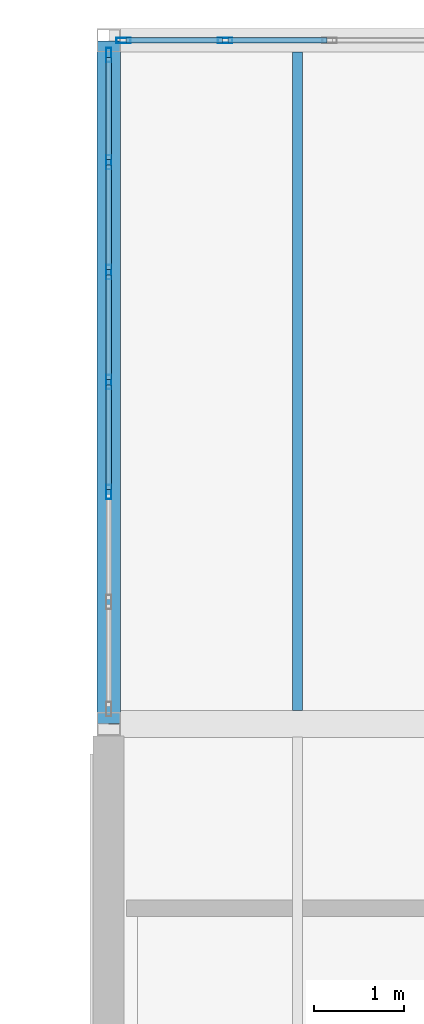
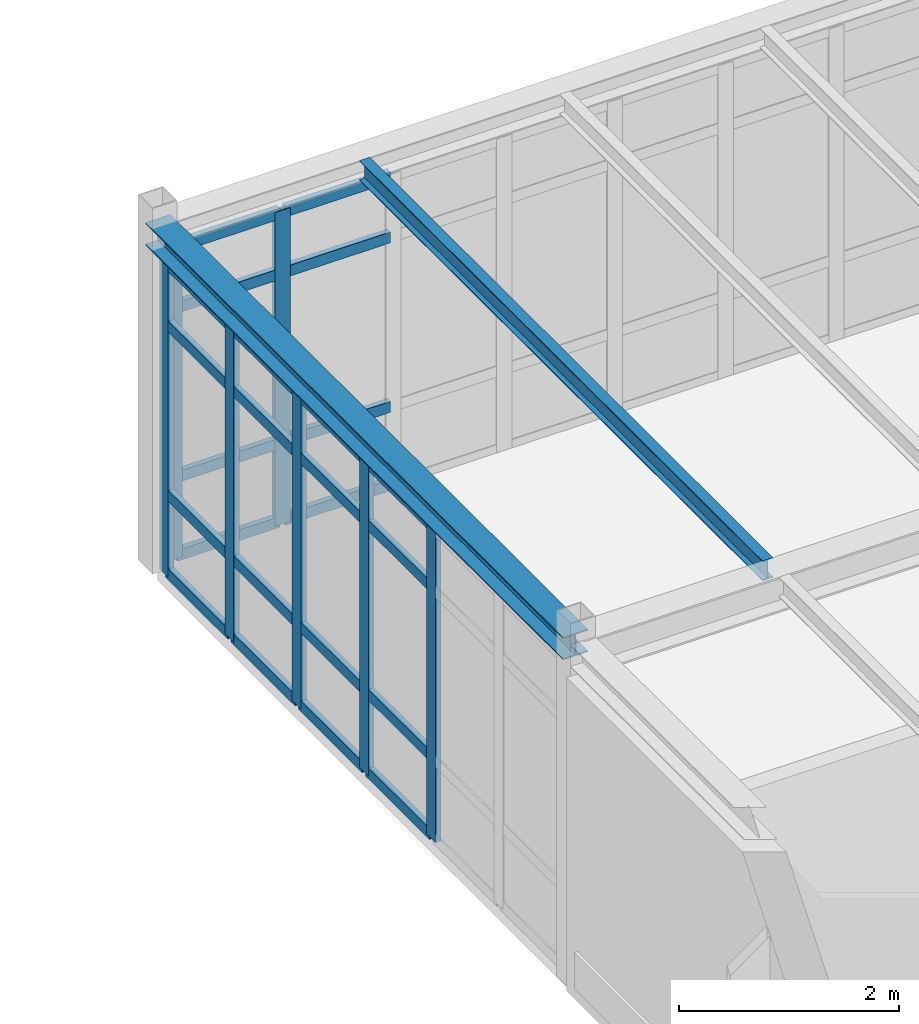
# One storey, part 84 of 189: 31 members, 2 beams, 2 elements without a shape of their own.
"""IFC4 building model written with IfcOpenShell, lengths in metres."""

from ifc_helpers import new_model, si_unit, direction, frame, origin, origin_2d, place, context, subcontext, project, spatial, hollow_rectangle, i_section, extrude, material, layer, layer_set, material_profile, profile_set, type_object, element, aggregate, save


model = new_model("IFC4")

# Units and contexts
model_context = context("Model", 3, precision=1e-05, world=origin(), true_north=direction((0.0, 1.0)))
body_context = subcontext(model_context, "Body", "Model", "MODEL_VIEW")
ifc_project = project(units=[si_unit("LENGTHUNIT", "METRE"), si_unit("AREAUNIT", "SQUARE_METRE"), si_unit("VOLUMEUNIT", "CUBIC_METRE"), si_unit("PLANEANGLEUNIT", "RADIAN"), si_unit("MASSUNIT", "GRAM", prefix="KILO")], contexts=[model_context])

# Site, building, storey
site_placement = place(None, origin())
site = spatial("IfcSite", under=ifc_project, at=site_placement, CompositionType="ELEMENT")
building_placement = place(site_placement, origin())
building = spatial("IfcBuilding", under=site, at=building_placement, Name="Montecoro Central Library", CompositionType="ELEMENT")
storey_placement = place(building_placement, frame((0.0, 0.0, 9.179931640625)))
storey = spatial("IfcBuildingStorey", under=building, at=storey_placement, Name="L02", CompositionType="ELEMENT", Elevation=9.179931640625)

# Beams
ifc_material_1 = material(Name="Steel S355", Category="steel")
ifc_material_profile_1 = material_profile(ifc_material_1, i_section(OverallWidth=0.110107421875, OverallDepth=0.219970703125, WebThickness=0.005859375, FlangeThickness=0.00927734375, at=origin_2d()), Name="IPE 220")
ifc_profile_set_1 = profile_set([ifc_material_profile_1], Name="Steel S355")
beam_type_1 = type_object("IfcBeamType", Name="BM-J-IPE220", PredefinedType="JOIST", material=ifc_profile_set_1)
beam_1_placement = place(storey_placement, frame((68.5, 111.547119140625, 3.715087890625), z_axis=(0.0, 1.0, 0.0), x_axis=(-1.0, 0.0, 0.0)))
element("IfcBeam", 1, at=beam_1_placement, inside=storey, type_object=beam_type_1, Name="V2-L02-JS-910-QR-1", PredefinedType="JOIST", context=body_context, shape_type="SweptSolid", body=[
    extrude(i_section(OverallWidth=0.110107421875, OverallDepth=0.219970703125, WebThickness=0.005859375, FlangeThickness=0.00927734375, at=origin_2d()), origin(), (0.0, 0.0, 1.0), 7.325927734375),
])
ifc_material_profile_2 = material_profile(ifc_material_1, i_section(OverallWidth=0.260009765625, OverallDepth=0.25, WebThickness=0.007568359375, FlangeThickness=0.012451171875, at=origin_2d()), Name="HEA 260")
ifc_profile_set_2 = profile_set([ifc_material_profile_2], Name="Steel S355")
beam_type_2 = type_object("IfcBeamType", Name="BM-SP-HEA260", PredefinedType="SPANDREL", material=ifc_profile_set_2)
beam_2_placement = place(storey_placement, frame((66.39990234375, 111.405029296875, 3.699951171875), z_axis=(0.0, 1.0, 0.0), x_axis=(-1.0, 0.0, 0.0)))
element("IfcBeam", 2, at=beam_2_placement, inside=storey, type_object=beam_type_2, Name="V2-L02-BY-9-QR", PredefinedType="SPANDREL", context=body_context, shape_type="SweptSolid", body=[
    extrude(i_section(OverallWidth=0.260009765625, OverallDepth=0.25, WebThickness=0.007568359375, FlangeThickness=0.012451171875, at=origin_2d()), origin(), (0.0, 0.0, 1.0), 7.590087890625),
])

# Curtain wall, members
ifc_material_2 = material(Name="Bronze-anodised aluminium and low-E glazing", Category="aluminium")
ifc_layer_1 = layer(ifc_material_2, 0.159912109375)
ifc_layer_set_1 = layer_set([ifc_layer_1], Name="Bronze-anodised aluminium and low-E glazing")
curtain_wall_type_1 = type_object("IfcCurtainWallType", Name="CWT-016", PredefinedType="NOTDEFINED", material=ifc_layer_set_1)
curtain_wall_1_placement = place(storey_placement, origin())
curtain_wall_1 = element("IfcCurtainWall", 3, at=curtain_wall_1_placement, inside=storey, type_object=curtain_wall_type_1, Name="V2-L02-CW-N0", PredefinedType="NOTDEFINED")
ifc_material_3 = material(Name="Bronze-anodised aluminium", Category="aluminium")
ifc_material_profile_3 = material_profile(ifc_material_3, hollow_rectangle(XDim=0.06005859375, YDim=0.159912109375, WallThickness=0.00390625, at=origin_2d()), Name="CWM 160x60x4.0")
ifc_profile_set_3 = profile_set([ifc_material_profile_3], Name="Bronze-anodised aluminium")
member_type_1 = type_object("IfcMemberType", Name="CWM-BRZ-60", PredefinedType="MULLION", material=ifc_profile_set_3)
member_1_placement = place(storey_placement, frame((67.695068359375, 119.0, 0.0), z_axis=(0.0, 0.0, 1.0), x_axis=(0.0, -1.0, 0.0)))
member_1 = element("IfcMember", 4, at=member_1_placement, type_object=member_type_1, Name="CW-016 mullion 7", PredefinedType="MULLION", context=body_context, shape_type="SweptSolid", body=[
    extrude(hollow_rectangle(XDim=0.06005859375, YDim=0.159912109375, WallThickness=0.00390625, at=origin_2d()), origin(), (0.0, 0.0, 1.0), 3.47998046875),
])
member_2_placement = place(storey_placement, frame((66.56298828125, 119.0, 0.0), z_axis=(0.0, 0.0, 1.0), x_axis=(0.0, -1.0, 0.0)))
member_2 = element("IfcMember", 5, at=member_2_placement, type_object=member_type_1, Name="CW-016 mullion 8", PredefinedType="MULLION", context=body_context, shape_type="SweptSolid", body=[
    extrude(hollow_rectangle(XDim=0.06005859375, YDim=0.159912109375, WallThickness=0.00390625, at=origin_2d()), origin(), (0.0, 0.0, 1.0), 3.47998046875),
])

ifc_layer_2 = layer(ifc_material_2, 0.159912109375)
ifc_layer_set_2 = layer_set([ifc_layer_2], Name="Bronze-anodised aluminium and low-E glazing")
curtain_wall_type_2 = type_object("IfcCurtainWallType", Name="CWT-017", PredefinedType="NOTDEFINED", material=ifc_layer_set_2)
curtain_wall_2_placement = place(storey_placement, origin())
curtain_wall_2 = element("IfcCurtainWall", 6, at=curtain_wall_2_placement, inside=storey, type_object=curtain_wall_type_2, Name="V2-L02-CW-W4", PredefinedType="NOTDEFINED")
member_3_placement = place(storey_placement, frame((66.39990234375, 118.8369140625, 0.0), z_axis=(0.0, 0.0, 1.0), x_axis=(1.0, 0.0, 0.0)))
member_3 = element("IfcMember", 7, at=member_3_placement, type_object=member_type_1, Name="CW-017 mullion 1", PredefinedType="MULLION", context=body_context, shape_type="SweptSolid", body=[
    extrude(hollow_rectangle(XDim=0.06005859375, YDim=0.159912109375, WallThickness=0.00390625, at=origin_2d()), origin(), (0.0, 0.0, 1.0), 3.47998046875),
])
member_4_placement = place(storey_placement, frame((66.39990234375, 117.644775390625, 0.0), z_axis=(0.0, 0.0, 1.0), x_axis=(1.0, 0.0, 0.0)))
member_4 = element("IfcMember", 8, at=member_4_placement, type_object=member_type_1, Name="CW-017 mullion 2", PredefinedType="MULLION", context=body_context, shape_type="SweptSolid", body=[
    extrude(hollow_rectangle(XDim=0.06005859375, YDim=0.159912109375, WallThickness=0.00390625, at=origin_2d()), origin(), (0.0, 0.0, 1.0), 3.47998046875),
])
member_5_placement = place(storey_placement, frame((66.39990234375, 116.42236328125, 0.0), z_axis=(0.0, 0.0, 1.0), x_axis=(1.0, 0.0, 0.0)))
member_5 = element("IfcMember", 9, at=member_5_placement, type_object=member_type_1, Name="CW-017 mullion 3", PredefinedType="MULLION", context=body_context, shape_type="SweptSolid", body=[
    extrude(hollow_rectangle(XDim=0.06005859375, YDim=0.159912109375, WallThickness=0.00390625, at=origin_2d()), origin(), (0.0, 0.0, 1.0), 3.47998046875),
])
member_6_placement = place(storey_placement, frame((66.39990234375, 115.199951171875, 0.0), z_axis=(0.0, 0.0, 1.0), x_axis=(1.0, 0.0, 0.0)))
member_6 = element("IfcMember", 10, at=member_6_placement, type_object=member_type_1, Name="CW-017 mullion 4", PredefinedType="MULLION", context=body_context, shape_type="SweptSolid", body=[
    extrude(hollow_rectangle(XDim=0.06005859375, YDim=0.159912109375, WallThickness=0.00390625, at=origin_2d()), origin(), (0.0, 0.0, 1.0), 3.47998046875),
])
member_7_placement = place(storey_placement, frame((66.39990234375, 113.977783203125, 0.0), z_axis=(0.0, 0.0, 1.0), x_axis=(1.0, 0.0, 0.0)))
member_7 = element("IfcMember", 11, at=member_7_placement, type_object=member_type_1, Name="CW-017 mullion 5", PredefinedType="MULLION", context=body_context, shape_type="SweptSolid", body=[
    extrude(hollow_rectangle(XDim=0.06005859375, YDim=0.159912109375, WallThickness=0.00390625, at=origin_2d()), origin(), (0.0, 0.0, 1.0), 3.47998046875),
])

# Member
ifc_material_profile_4 = material_profile(ifc_material_3, hollow_rectangle(XDim=0.06005859375, YDim=0.1201171875, WallThickness=0.00390625, at=origin_2d()), Name="CWT 120x60x4.0")
ifc_profile_set_4 = profile_set([ifc_material_profile_4], Name="Bronze-anodised aluminium")
member_type_2 = type_object("IfcMemberType", Name="CWT-BRZ-60", PredefinedType="USERDEFINED", material=ifc_profile_set_4)
member_8_placement = place(storey_placement, frame((68.826904296875, 119.0, 0.030029296875), z_axis=(-1.0, 0.0, 0.0), x_axis=(0.0, -1.0, 0.0)))
member_8 = element("IfcMember", 12, at=member_8_placement, type_object=member_type_2, Name="CW-016 transom 6.1", ObjectType="TRANSOM", PredefinedType="USERDEFINED", context=body_context, shape_type="SweptSolid", body=[
    extrude(hollow_rectangle(XDim=0.06005859375, YDim=0.1201171875, WallThickness=0.00390625, at=origin_2d()), origin(), (0.0, 0.0, 1.0), 1.101806640625),
])

member_9_placement = place(storey_placement, frame((68.826904296875, 119.0, 0.900146484375), z_axis=(-1.0, 0.0, 0.0), x_axis=(0.0, -1.0, 0.0)))
member_9 = element("IfcMember", 13, at=member_9_placement, type_object=member_type_2, Name="CW-016 transom 6.2", ObjectType="TRANSOM", PredefinedType="USERDEFINED", context=body_context, shape_type="SweptSolid", body=[
    extrude(hollow_rectangle(XDim=0.06005859375, YDim=0.1201171875, WallThickness=0.00390625, at=origin_2d()), origin(), (0.0, 0.0, 1.0), 1.101806640625),
])

member_10_placement = place(storey_placement, frame((68.826904296875, 119.0, 2.780029296875), z_axis=(-1.0, 0.0, 0.0), x_axis=(0.0, -1.0, 0.0)))
member_10 = element("IfcMember", 14, at=member_10_placement, type_object=member_type_2, Name="CW-016 transom 6.3", ObjectType="TRANSOM", PredefinedType="USERDEFINED", context=body_context, shape_type="SweptSolid", body=[
    extrude(hollow_rectangle(XDim=0.06005859375, YDim=0.1201171875, WallThickness=0.00390625, at=origin_2d()), origin(), (0.0, 0.0, 1.0), 1.101806640625),
])

member_11_placement = place(storey_placement, frame((68.826904296875, 119.0, 3.449951171875), z_axis=(-1.0, 0.0, 0.0), x_axis=(0.0, -1.0, 0.0)))
member_11 = element("IfcMember", 15, at=member_11_placement, type_object=member_type_2, Name="CW-016 transom 6.4", ObjectType="TRANSOM", PredefinedType="USERDEFINED", context=body_context, shape_type="SweptSolid", body=[
    extrude(hollow_rectangle(XDim=0.06005859375, YDim=0.1201171875, WallThickness=0.00390625, at=origin_2d()), origin(), (0.0, 0.0, 1.0), 1.101806640625),
])

member_12_placement = place(storey_placement, frame((67.6650390625, 119.0, 0.030029296875), z_axis=(-1.0, 0.0, 0.0), x_axis=(0.0, -1.0, 0.0)))
member_12 = element("IfcMember", 16, at=member_12_placement, type_object=member_type_2, Name="CW-016 transom 7.1", ObjectType="TRANSOM", PredefinedType="USERDEFINED", context=body_context, shape_type="SweptSolid", body=[
    extrude(hollow_rectangle(XDim=0.06005859375, YDim=0.1201171875, WallThickness=0.00390625, at=origin_2d()), origin(), (0.0, 0.0, 1.0), 1.072021484375),
])

member_13_placement = place(storey_placement, frame((67.6650390625, 119.0, 0.900146484375), z_axis=(-1.0, 0.0, 0.0), x_axis=(0.0, -1.0, 0.0)))
member_13 = element("IfcMember", 17, at=member_13_placement, type_object=member_type_2, Name="CW-016 transom 7.2", ObjectType="TRANSOM", PredefinedType="USERDEFINED", context=body_context, shape_type="SweptSolid", body=[
    extrude(hollow_rectangle(XDim=0.06005859375, YDim=0.1201171875, WallThickness=0.00390625, at=origin_2d()), origin(), (0.0, 0.0, 1.0), 1.072021484375),
])

member_14_placement = place(storey_placement, frame((67.6650390625, 119.0, 2.780029296875), z_axis=(-1.0, 0.0, 0.0), x_axis=(0.0, -1.0, 0.0)))
member_14 = element("IfcMember", 18, at=member_14_placement, type_object=member_type_2, Name="CW-016 transom 7.3", ObjectType="TRANSOM", PredefinedType="USERDEFINED", context=body_context, shape_type="SweptSolid", body=[
    extrude(hollow_rectangle(XDim=0.06005859375, YDim=0.1201171875, WallThickness=0.00390625, at=origin_2d()), origin(), (0.0, 0.0, 1.0), 1.072021484375),
])

member_15_placement = place(storey_placement, frame((67.6650390625, 119.0, 3.449951171875), z_axis=(-1.0, 0.0, 0.0), x_axis=(0.0, -1.0, 0.0)))
member_15 = element("IfcMember", 19, at=member_15_placement, type_object=member_type_2, Name="CW-016 transom 7.4", ObjectType="TRANSOM", PredefinedType="USERDEFINED", context=body_context, shape_type="SweptSolid", body=[
    extrude(hollow_rectangle(XDim=0.06005859375, YDim=0.1201171875, WallThickness=0.00390625, at=origin_2d()), origin(), (0.0, 0.0, 1.0), 1.072021484375),
])

aggregate(curtain_wall_1, [member_1, member_2, member_8, member_9, member_10, member_11, member_12, member_13, member_14, member_15])

member_16_placement = place(storey_placement, frame((66.39990234375, 118.806884765625, 0.030029296875), z_axis=(0.0, -1.0, 0.0), x_axis=(1.0, 0.0, 0.0)))
member_16 = element("IfcMember", 20, at=member_16_placement, type_object=member_type_2, Name="CW-017 transom 1.1", ObjectType="TRANSOM", PredefinedType="USERDEFINED", context=body_context, shape_type="SweptSolid", body=[
    extrude(hollow_rectangle(XDim=0.06005859375, YDim=0.1201171875, WallThickness=0.00390625, at=origin_2d()), origin(), (0.0, 0.0, 1.0), 1.13232421875),
])

member_17_placement = place(storey_placement, frame((66.39990234375, 118.806884765625, 0.900146484375), z_axis=(0.0, -1.0, 0.0), x_axis=(1.0, 0.0, 0.0)))
member_17 = element("IfcMember", 21, at=member_17_placement, type_object=member_type_2, Name="CW-017 transom 1.2", ObjectType="TRANSOM", PredefinedType="USERDEFINED", context=body_context, shape_type="SweptSolid", body=[
    extrude(hollow_rectangle(XDim=0.06005859375, YDim=0.1201171875, WallThickness=0.00390625, at=origin_2d()), origin(), (0.0, 0.0, 1.0), 1.13232421875),
])

member_18_placement = place(storey_placement, frame((66.39990234375, 118.806884765625, 2.780029296875), z_axis=(0.0, -1.0, 0.0), x_axis=(1.0, 0.0, 0.0)))
member_18 = element("IfcMember", 22, at=member_18_placement, type_object=member_type_2, Name="CW-017 transom 1.3", ObjectType="TRANSOM", PredefinedType="USERDEFINED", context=body_context, shape_type="SweptSolid", body=[
    extrude(hollow_rectangle(XDim=0.06005859375, YDim=0.1201171875, WallThickness=0.00390625, at=origin_2d()), origin(), (0.0, 0.0, 1.0), 1.13232421875),
])

member_19_placement = place(storey_placement, frame((66.39990234375, 118.806884765625, 3.449951171875), z_axis=(0.0, -1.0, 0.0), x_axis=(1.0, 0.0, 0.0)))
member_19 = element("IfcMember", 23, at=member_19_placement, type_object=member_type_2, Name="CW-017 transom 1.4", ObjectType="TRANSOM", PredefinedType="USERDEFINED", context=body_context, shape_type="SweptSolid", body=[
    extrude(hollow_rectangle(XDim=0.06005859375, YDim=0.1201171875, WallThickness=0.00390625, at=origin_2d()), origin(), (0.0, 0.0, 1.0), 1.13232421875),
])

member_20_placement = place(storey_placement, frame((66.39990234375, 117.61474609375, 0.030029296875), z_axis=(0.0, -1.0, 0.0), x_axis=(1.0, 0.0, 0.0)))
member_20 = element("IfcMember", 24, at=member_20_placement, type_object=member_type_2, Name="CW-017 transom 2.1", ObjectType="TRANSOM", PredefinedType="USERDEFINED", context=body_context, shape_type="SweptSolid", body=[
    extrude(hollow_rectangle(XDim=0.06005859375, YDim=0.1201171875, WallThickness=0.00390625, at=origin_2d()), origin(), (0.0, 0.0, 1.0), 1.162353515625),
])

member_21_placement = place(storey_placement, frame((66.39990234375, 117.61474609375, 0.900146484375), z_axis=(0.0, -1.0, 0.0), x_axis=(1.0, 0.0, 0.0)))
member_21 = element("IfcMember", 25, at=member_21_placement, type_object=member_type_2, Name="CW-017 transom 2.2", ObjectType="TRANSOM", PredefinedType="USERDEFINED", context=body_context, shape_type="SweptSolid", body=[
    extrude(hollow_rectangle(XDim=0.06005859375, YDim=0.1201171875, WallThickness=0.00390625, at=origin_2d()), origin(), (0.0, 0.0, 1.0), 1.162353515625),
])

member_22_placement = place(storey_placement, frame((66.39990234375, 117.61474609375, 2.780029296875), z_axis=(0.0, -1.0, 0.0), x_axis=(1.0, 0.0, 0.0)))
member_22 = element("IfcMember", 26, at=member_22_placement, type_object=member_type_2, Name="CW-017 transom 2.3", ObjectType="TRANSOM", PredefinedType="USERDEFINED", context=body_context, shape_type="SweptSolid", body=[
    extrude(hollow_rectangle(XDim=0.06005859375, YDim=0.1201171875, WallThickness=0.00390625, at=origin_2d()), origin(), (0.0, 0.0, 1.0), 1.162353515625),
])

member_23_placement = place(storey_placement, frame((66.39990234375, 117.61474609375, 3.449951171875), z_axis=(0.0, -1.0, 0.0), x_axis=(1.0, 0.0, 0.0)))
member_23 = element("IfcMember", 27, at=member_23_placement, type_object=member_type_2, Name="CW-017 transom 2.4", ObjectType="TRANSOM", PredefinedType="USERDEFINED", context=body_context, shape_type="SweptSolid", body=[
    extrude(hollow_rectangle(XDim=0.06005859375, YDim=0.1201171875, WallThickness=0.00390625, at=origin_2d()), origin(), (0.0, 0.0, 1.0), 1.162353515625),
])

member_24_placement = place(storey_placement, frame((66.39990234375, 116.392333984375, 0.030029296875), z_axis=(0.0, -1.0, 0.0), x_axis=(1.0, 0.0, 0.0)))
member_24 = element("IfcMember", 28, at=member_24_placement, type_object=member_type_2, Name="CW-017 transom 3.1", ObjectType="TRANSOM", PredefinedType="USERDEFINED", context=body_context, shape_type="SweptSolid", body=[
    extrude(hollow_rectangle(XDim=0.06005859375, YDim=0.1201171875, WallThickness=0.00390625, at=origin_2d()), origin(), (0.0, 0.0, 1.0), 1.162353515625),
])

member_25_placement = place(storey_placement, frame((66.39990234375, 116.392333984375, 0.900146484375), z_axis=(0.0, -1.0, 0.0), x_axis=(1.0, 0.0, 0.0)))
member_25 = element("IfcMember", 29, at=member_25_placement, type_object=member_type_2, Name="CW-017 transom 3.2", ObjectType="TRANSOM", PredefinedType="USERDEFINED", context=body_context, shape_type="SweptSolid", body=[
    extrude(hollow_rectangle(XDim=0.06005859375, YDim=0.1201171875, WallThickness=0.00390625, at=origin_2d()), origin(), (0.0, 0.0, 1.0), 1.162353515625),
])

member_26_placement = place(storey_placement, frame((66.39990234375, 116.392333984375, 2.780029296875), z_axis=(0.0, -1.0, 0.0), x_axis=(1.0, 0.0, 0.0)))
member_26 = element("IfcMember", 30, at=member_26_placement, type_object=member_type_2, Name="CW-017 transom 3.3", ObjectType="TRANSOM", PredefinedType="USERDEFINED", context=body_context, shape_type="SweptSolid", body=[
    extrude(hollow_rectangle(XDim=0.06005859375, YDim=0.1201171875, WallThickness=0.00390625, at=origin_2d()), origin(), (0.0, 0.0, 1.0), 1.162353515625),
])

member_27_placement = place(storey_placement, frame((66.39990234375, 116.392333984375, 3.449951171875), z_axis=(0.0, -1.0, 0.0), x_axis=(1.0, 0.0, 0.0)))
member_27 = element("IfcMember", 31, at=member_27_placement, type_object=member_type_2, Name="CW-017 transom 3.4", ObjectType="TRANSOM", PredefinedType="USERDEFINED", context=body_context, shape_type="SweptSolid", body=[
    extrude(hollow_rectangle(XDim=0.06005859375, YDim=0.1201171875, WallThickness=0.00390625, at=origin_2d()), origin(), (0.0, 0.0, 1.0), 1.162353515625),
])

member_28_placement = place(storey_placement, frame((66.39990234375, 115.169921875, 0.030029296875), z_axis=(0.0, -1.0, 0.0), x_axis=(1.0, 0.0, 0.0)))
member_28 = element("IfcMember", 32, at=member_28_placement, type_object=member_type_2, Name="CW-017 transom 4.1", ObjectType="TRANSOM", PredefinedType="USERDEFINED", context=body_context, shape_type="SweptSolid", body=[
    extrude(hollow_rectangle(XDim=0.06005859375, YDim=0.1201171875, WallThickness=0.00390625, at=origin_2d()), origin(), (0.0, 0.0, 1.0), 1.162353515625),
])

member_29_placement = place(storey_placement, frame((66.39990234375, 115.169921875, 0.900146484375), z_axis=(0.0, -1.0, 0.0), x_axis=(1.0, 0.0, 0.0)))
member_29 = element("IfcMember", 33, at=member_29_placement, type_object=member_type_2, Name="CW-017 transom 4.2", ObjectType="TRANSOM", PredefinedType="USERDEFINED", context=body_context, shape_type="SweptSolid", body=[
    extrude(hollow_rectangle(XDim=0.06005859375, YDim=0.1201171875, WallThickness=0.00390625, at=origin_2d()), origin(), (0.0, 0.0, 1.0), 1.162353515625),
])

member_30_placement = place(storey_placement, frame((66.39990234375, 115.169921875, 2.780029296875), z_axis=(0.0, -1.0, 0.0), x_axis=(1.0, 0.0, 0.0)))
member_30 = element("IfcMember", 34, at=member_30_placement, type_object=member_type_2, Name="CW-017 transom 4.3", ObjectType="TRANSOM", PredefinedType="USERDEFINED", context=body_context, shape_type="SweptSolid", body=[
    extrude(hollow_rectangle(XDim=0.06005859375, YDim=0.1201171875, WallThickness=0.00390625, at=origin_2d()), origin(), (0.0, 0.0, 1.0), 1.162353515625),
])

member_31_placement = place(storey_placement, frame((66.39990234375, 115.169921875, 3.449951171875), z_axis=(0.0, -1.0, 0.0), x_axis=(1.0, 0.0, 0.0)))
member_31 = element("IfcMember", 35, at=member_31_placement, type_object=member_type_2, Name="CW-017 transom 4.4", ObjectType="TRANSOM", PredefinedType="USERDEFINED", context=body_context, shape_type="SweptSolid", body=[
    extrude(hollow_rectangle(XDim=0.06005859375, YDim=0.1201171875, WallThickness=0.00390625, at=origin_2d()), origin(), (0.0, 0.0, 1.0), 1.162353515625),
])

aggregate(curtain_wall_2, [member_3, member_4, member_5, member_6, member_7, member_16, member_17, member_18, member_19, member_20, member_21, member_22, member_23, member_24, member_25, member_26, member_27, member_28, member_29, member_30, member_31])

save(model, "model.ifc")
